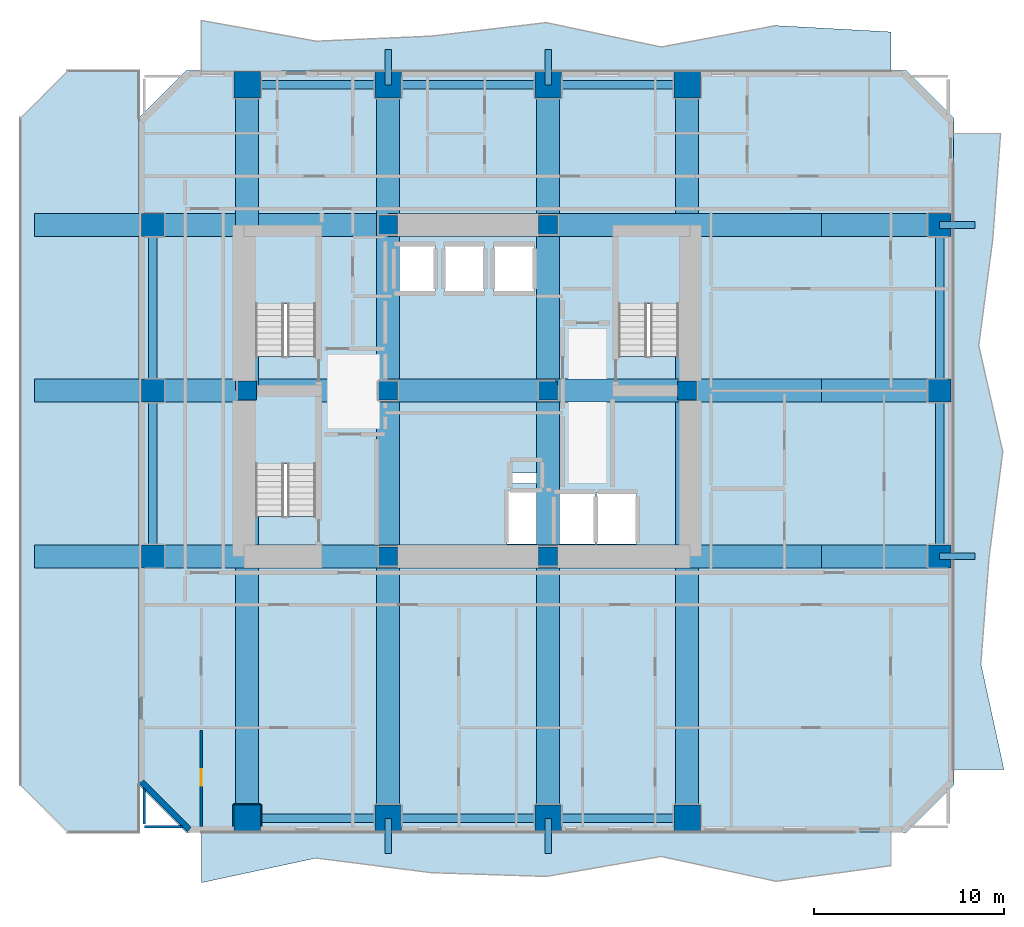
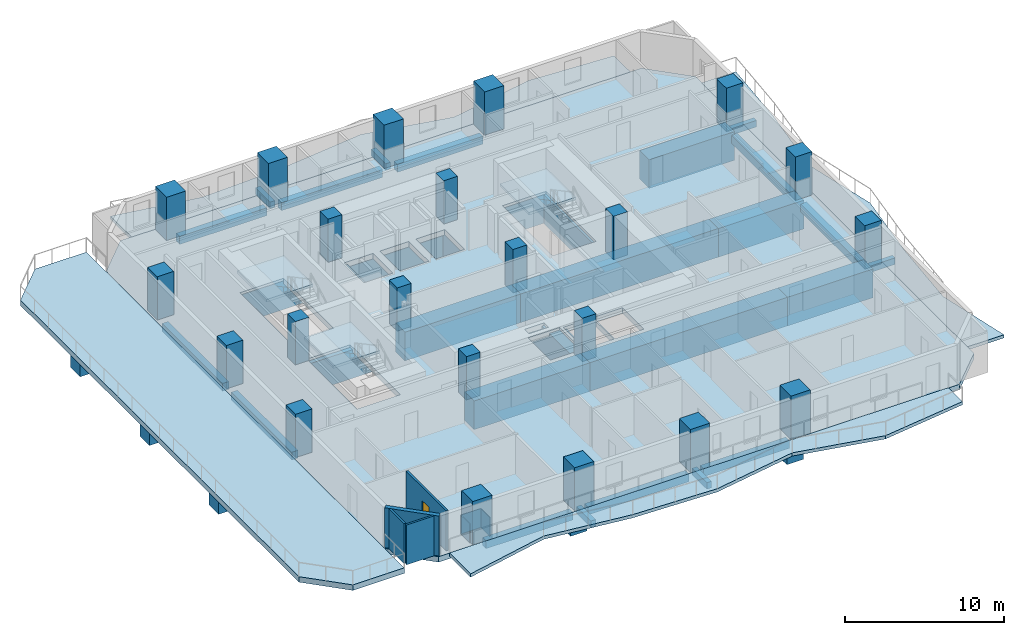
# One storey, part 1 of 10: 36 beams, 22 columns, 8 slabs, 7 walls, 1 door, 1 opening, 3 elements without a shape of their own.
"""IFC4 building model written with IfcOpenShell, lengths in metres."""

from ifc_helpers import new_model, si_unit, direction, frame, frame_2d, origin, origin_2d, place, context, subcontext, project, spatial, polyline, rectangle, outline, extrude, material, layer, layer_set, material_profile, profile_set, type_object, element, fill, aggregate, save


model = new_model("IFC4")

# Units and contexts
model_context = context("Model", 3, precision=1e-05, world=origin(), true_north=direction((0.0, 1.0)))
body_context = subcontext(model_context, "Body", "Model", "MODEL_VIEW")
ifc_project = project(units=[si_unit("LENGTHUNIT", "METRE"), si_unit("AREAUNIT", "SQUARE_METRE"), si_unit("VOLUMEUNIT", "CUBIC_METRE"), si_unit("PLANEANGLEUNIT", "RADIAN"), si_unit("MASSUNIT", "GRAM", prefix="KILO")], contexts=[model_context])

# Site, building, storey
site_placement = place(None, origin())
site = spatial("IfcSite", under=ifc_project, at=site_placement, CompositionType="ELEMENT")
building_placement = place(site_placement, origin())
building = spatial("IfcBuilding", under=site, at=building_placement, Name="Solanera Arch Residences", CompositionType="ELEMENT")
storey_placement = place(building_placement, frame((0.0, 0.0, 41.919921875)))
storey = spatial("IfcBuildingStorey", under=building, at=storey_placement, Name="L11", CompositionType="ELEMENT", Elevation=41.919921875)

# Columns
ifc_material_1 = material(Name="Concrete C55/67 (f'c = 60 MPa)", Category="concrete")
ifc_material_profile_1 = material_profile(ifc_material_1, rectangle(XDim=1.0, YDim=1.0, at=origin_2d()))
ifc_profile_set_1 = profile_set([ifc_material_profile_1], Name="Concrete C55/67 (f'c = 60 MPa)")
column_type_1 = type_object("IfcColumnType", Name="Structural Column RC-COL-1000X1000", PredefinedType="COLUMN", material=ifc_profile_set_1)
for number, where, z_axis, x_axis, name in (
    (1, (20.800048828125, 22.0, 0.0), (0.0, 0.0, 1.0), (1.0, 0.0, 0.0), "COL-L11-CB-SW"),
    (2, (29.199951171875, 22.0, 0.0), (0.0, 0.0, 1.0), (1.0, 0.0, 0.0), "COL-L11-CB-SE"),
    (3, (20.800048828125, 39.39990234375, 0.0), (0.0, 0.0, 1.0), (1.0, 0.0, 0.0), "COL-L11-CB-NW"),
    (4, (29.199951171875, 39.39990234375, 0.0), (0.0, 0.0, 1.0), (1.0, 0.0, 0.0), "COL-L11-CB-NE"),
    (5, (13.39990234375, 30.699951171875, 0.0), (0.0, 0.0, 1.0), (1.0, 0.0, 0.0), "COL-L11-CB-WW"),
    (6, (36.5, 30.699951171875, 0.0), (0.0, 0.0, 1.0), (1.0, 0.0, 0.0), "COL-L11-CB-EE"),
    (7, (20.800048828125, 30.699951171875, 0.0), (0.0, 0.0, 1.0), (1.0, 0.0, 0.0), "COL-L11-CORE-W"),
    (8, (29.199951171875, 30.699951171875, 0.0), (0.0, 0.0, 1.0), (1.0, 0.0, 0.0), "COL-L11-CORE-E"),
):
    element("IfcColumn", number, at=place(storey_placement, frame(where, z_axis=z_axis, x_axis=x_axis)), inside=storey, type_object=column_type_1, Name=name, PredefinedType="COLUMN", context=body_context, shape_type="SweptSolid", body=[
        extrude(rectangle(XDim=1.0, YDim=1.0, at=origin_2d()), origin(), (0.0, 0.0, 1.0), 3.320068359375),
    ])
ifc_material_2 = material(Name="Concrete C55/67 (f'c = 60 MPa)", Category="concrete")
ifc_material_profile_2 = material_profile(ifc_material_2, rectangle(XDim=1.199951171875, YDim=1.199951171875, at=origin_2d()))
ifc_profile_set_2 = profile_set([ifc_material_profile_2], Name="Concrete C55/67 (f'c = 60 MPa)")
column_type_2 = type_object("IfcColumnType", Name="Structural Column RC-COL-1200X1200", PredefinedType="COLUMN", material=ifc_profile_set_2)
for number, where, z_axis, x_axis, name in (
    (9, (8.449951171875, 22.0, -0.199951171875), (0.0, 0.0, 1.0), (1.0, 0.0, 0.0), "COL-L11-TWR-09"),
    (10, (49.75, 22.0, -0.199951171875), (0.0, 0.0, 1.0), (1.0, 0.0, 0.0), "COL-L11-TWR-10"),
    (11, (8.449951171875, 30.699951171875, -0.199951171875), (0.0, 0.0, 1.0), (1.0, 0.0, 0.0), "COL-L11-TWR-11"),
    (12, (49.75, 30.699951171875, -0.199951171875), (0.0, 0.0, 1.0), (1.0, 0.0, 0.0), "COL-L11-TWR-12"),
    (13, (8.449951171875, 39.39990234375, -0.199951171875), (0.0, 0.0, 1.0), (1.0, 0.0, 0.0), "COL-L11-TWR-13"),
    (14, (49.75, 39.39990234375, -0.199951171875), (0.0, 0.0, 1.0), (1.0, 0.0, 0.0), "COL-L11-TWR-14"),
):
    element("IfcColumn", number, at=place(storey_placement, frame(where, z_axis=z_axis, x_axis=x_axis)), inside=storey, type_object=column_type_2, Name=name, PredefinedType="COLUMN", context=body_context, shape_type="SweptSolid", body=[
        extrude(rectangle(XDim=1.199951171875, YDim=1.199951171875, at=origin_2d()), origin(), (0.0, 0.0, 1.0), 3.52001953125),
    ])
ifc_material_3 = material(Name="Concrete C55/67 (f'c = 60 MPa)", Category="concrete")
ifc_material_profile_3 = material_profile(ifc_material_3, rectangle(XDim=1.39990234375, YDim=1.39990234375, at=origin_2d()))
ifc_profile_set_3 = profile_set([ifc_material_profile_3], Name="Concrete C55/67 (f'c = 60 MPa)")
column_type_3 = type_object("IfcColumnType", Name="Structural Column RC-COL-1400X1400", PredefinedType="COLUMN", material=ifc_profile_set_3)
for number, where, z_axis, x_axis, name in (
    (15, (13.39990234375, 8.25, -0.199951171875), (0.0, 0.0, 1.0), (1.0, 0.0, 0.0), "COL-L11-TWR-01"),
    (16, (13.39990234375, 46.75, -0.199951171875), (0.0, 0.0, 1.0), (1.0, 0.0, 0.0), "COL-L11-TWR-02"),
    (17, (20.800048828125, 8.25, -0.199951171875), (0.0, 0.0, 1.0), (1.0, 0.0, 0.0), "COL-L11-TWR-03"),
    (18, (20.800048828125, 46.75, -0.199951171875), (0.0, 0.0, 1.0), (1.0, 0.0, 0.0), "COL-L11-TWR-04"),
    (19, (29.199951171875, 8.25, -0.199951171875), (0.0, 0.0, 1.0), (1.0, 0.0, 0.0), "COL-L11-TWR-05"),
    (20, (29.199951171875, 46.75, -0.199951171875), (0.0, 0.0, 1.0), (1.0, 0.0, 0.0), "COL-L11-TWR-06"),
    (21, (36.5, 8.25, -0.199951171875), (0.0, 0.0, 1.0), (1.0, 0.0, 0.0), "COL-L11-TWR-07"),
    (22, (36.5, 46.75, -0.199951171875), (0.0, 0.0, 1.0), (1.0, 0.0, 0.0), "COL-L11-TWR-08"),
):
    element("IfcColumn", number, at=place(storey_placement, frame(where, z_axis=z_axis, x_axis=x_axis)), inside=storey, type_object=column_type_3, Name=name, PredefinedType="COLUMN", context=body_context, shape_type="SweptSolid", body=[
        extrude(rectangle(XDim=1.39990234375, YDim=1.39990234375, at=origin_2d()), origin(), (0.0, 0.0, 1.0), 3.52001953125),
    ])

# Beams
ifc_material_4 = material(Name="Concrete C40/50 (f'c = 45 MPa)", Category="concrete")
ifc_material_profile_4 = material_profile(ifc_material_4, rectangle(XDim=0.35009765625, YDim=0.5, at=origin_2d()))
ifc_profile_set_4 = profile_set([ifc_material_profile_4], Name="Concrete C40/50 (f'c = 45 MPa)")
beam_type_1 = type_object("IfcBeamType", Name="BM-BALC-RIB", PredefinedType="BEAM", material=ifc_profile_set_4)
for number, where, z_axis, x_axis, name in (
    (23, (20.800048828125, 6.39990234375, -0.5), (0.0, 1.0, 0.0), (-1.0, 0.0, 0.0), "BM-L11-BRIB-S1"),
    (24, (29.199951171875, 6.39990234375, -0.5), (0.0, 1.0, 0.0), (-1.0, 0.0, 0.0), "BM-L11-BRIB-S2"),
    (25, (20.800048828125, 46.75, -0.5), (0.0, 1.0, 0.0), (-1.0, 0.0, 0.0), "BM-L11-BRIB-N1"),
    (26, (29.199951171875, 46.75, -0.5), (0.0, 1.0, 0.0), (-1.0, 0.0, 0.0), "BM-L11-BRIB-N2"),
    (27, (49.75, 22.0, -0.5), (1.0, 0.0, 0.0), (0.0, 1.0, 0.0), "BM-L11-BRIB-E1"),
    (28, (49.75, 39.39990234375, -0.5), (1.0, 0.0, 0.0), (0.0, 1.0, 0.0), "BM-L11-BRIB-E2"),
):
    element("IfcBeam", number, at=place(storey_placement, frame(where, z_axis=z_axis, x_axis=x_axis)), inside=storey, type_object=beam_type_1, Name=name, PredefinedType="BEAM", context=body_context, shape_type="SweptSolid", body=[
        extrude(rectangle(XDim=0.35009765625, YDim=0.5, at=origin_2d()), origin(), (0.0, 0.0, 1.0), 1.85009765625),
    ])
ifc_material_5 = material(Name="Concrete C55/67 (f'c = 60 MPa)", Category="concrete")
ifc_material_profile_5 = material_profile(ifc_material_5, rectangle(XDim=1.199951171875, YDim=2.199951171875, at=origin_2d()))
ifc_profile_set_5 = profile_set([ifc_material_profile_5], Name="Concrete C55/67 (f'c = 60 MPa)")
beam_type_2 = type_object("IfcBeamType", Name="BM-CANT-BLOCK", PredefinedType="BEAM", material=ifc_profile_set_5)
for number, where, z_axis, x_axis, name in (
    (29, (43.550048828125, 22.0, -1.2998046875), (1.0, 0.0, 0.0), (0.0, 1.0, 0.0), "BM-L11-CANT-EW-E-220"),
    (30, (43.550048828125, 30.699951171875, -1.2998046875), (1.0, 0.0, 0.0), (0.0, 1.0, 0.0), "BM-L11-CANT-EW-E-307"),
    (31, (43.550048828125, 39.39990234375, -1.2998046875), (1.0, 0.0, 0.0), (0.0, 1.0, 0.0), "BM-L11-CANT-EW-E-394"),
):
    element("IfcBeam", number, at=place(storey_placement, frame(where, z_axis=z_axis, x_axis=x_axis)), inside=storey, type_object=beam_type_2, Name=name, PredefinedType="BEAM", context=body_context, shape_type="SweptSolid", body=[
        extrude(rectangle(XDim=1.199951171875, YDim=2.199951171875, at=origin_2d()), origin(), (0.0, 0.0, 1.0), 6.199951171875),
    ])
ifc_material_6 = material(Name="Concrete C40/50 (f'c = 45 MPa)", Category="concrete")
ifc_material_profile_6 = material_profile(ifc_material_6, rectangle(XDim=0.449951171875, YDim=0.60009765625, at=origin_2d()))
ifc_profile_set_6 = profile_set([ifc_material_profile_6], Name="Concrete C40/50 (f'c = 45 MPa)")
beam_type_3 = type_object("IfcBeamType", Name="Spandrel Beam RC-BM-450X600", PredefinedType="SPANDREL", material=ifc_profile_set_6)
for number, where, z_axis, x_axis, name in (
    (32, (13.93994140625, 8.25, -0.719970703125), (1.0, 0.0, 0.0), (0.0, 1.0, 0.0), "BM-L11-XRING-S-1"),
    (33, (13.93994140625, 46.75, -0.719970703125), (1.0, 0.0, 0.0), (0.0, 1.0, 0.0), "BM-L11-XRING-N-1"),
):
    element("IfcBeam", number, at=place(storey_placement, frame(where, z_axis=z_axis, x_axis=x_axis)), inside=storey, type_object=beam_type_3, Name=name, PredefinedType="SPANDREL", context=body_context, shape_type="SweptSolid", body=[
        extrude(rectangle(XDim=0.449951171875, YDim=0.60009765625, at=origin_2d()), origin(), (0.0, 0.0, 1.0), 6.320068359375),
    ])
for number, where, z_axis, x_axis, name in (
    (34, (21.340087890625, 8.25, -0.719970703125), (1.0, 0.0, 0.0), (0.0, 1.0, 0.0), "BM-L11-XRING-S-2"),
    (35, (21.340087890625, 46.75, -0.719970703125), (1.0, 0.0, 0.0), (0.0, 1.0, 0.0), "BM-L11-XRING-N-2"),
):
    element("IfcBeam", number, at=place(storey_placement, frame(where, z_axis=z_axis, x_axis=x_axis)), inside=storey, type_object=beam_type_3, Name=name, PredefinedType="SPANDREL", context=body_context, shape_type="SweptSolid", body=[
        extrude(rectangle(XDim=0.449951171875, YDim=0.60009765625, at=origin_2d()), origin(), (0.0, 0.0, 1.0), 7.31982421875),
    ])
for number, where, z_axis, x_axis, name in (
    (36, (29.739990234375, 8.25, -0.719970703125), (1.0, 0.0, 0.0), (0.0, 1.0, 0.0), "BM-L11-XRING-S-3"),
    (37, (29.739990234375, 46.75, -0.719970703125), (1.0, 0.0, 0.0), (0.0, 1.0, 0.0), "BM-L11-XRING-N-3"),
):
    element("IfcBeam", number, at=place(storey_placement, frame(where, z_axis=z_axis, x_axis=x_axis)), inside=storey, type_object=beam_type_3, Name=name, PredefinedType="SPANDREL", context=body_context, shape_type="SweptSolid", body=[
        extrude(rectangle(XDim=0.449951171875, YDim=0.60009765625, at=origin_2d()), origin(), (0.0, 0.0, 1.0), 6.219970703125),
    ])
for number, where, z_axis, x_axis, name in (
    (38, (8.449951171875, 22.5400390625, -0.719970703125), (0.0, 1.0, 0.0), (-1.0, 0.0, 0.0), "BM-L11-XRING-W-1"),
    (39, (49.75, 22.5400390625, -0.719970703125), (0.0, 1.0, 0.0), (-1.0, 0.0, 0.0), "BM-L11-XRING-E-1"),
):
    element("IfcBeam", number, at=place(storey_placement, frame(where, z_axis=z_axis, x_axis=x_axis)), inside=storey, type_object=beam_type_3, Name=name, PredefinedType="SPANDREL", context=body_context, shape_type="SweptSolid", body=[
        extrude(rectangle(XDim=0.449951171875, YDim=0.60009765625, at=origin_2d()), origin(), (0.0, 0.0, 1.0), 7.619873046875),
    ])
for number, where, z_axis, x_axis, name in (
    (40, (8.449951171875, 31.239990234375, -0.719970703125), (0.0, 1.0, 0.0), (-1.0, 0.0, 0.0), "BM-L11-XRING-W-2"),
    (41, (49.75, 31.239990234375, -0.719970703125), (0.0, 1.0, 0.0), (-1.0, 0.0, 0.0), "BM-L11-XRING-E-2"),
):
    element("IfcBeam", number, at=place(storey_placement, frame(where, z_axis=z_axis, x_axis=x_axis)), inside=storey, type_object=beam_type_3, Name=name, PredefinedType="SPANDREL", context=body_context, shape_type="SweptSolid", body=[
        extrude(rectangle(XDim=0.449951171875, YDim=0.60009765625, at=origin_2d()), origin(), (0.0, 0.0, 1.0), 7.6201171875),
    ])
ifc_material_7 = material(Name="Concrete C55/67 (f'c = 60 MPa)", Category="concrete")
ifc_material_profile_7 = material_profile(ifc_material_7, rectangle(XDim=1.199951171875, YDim=2.199951171875, at=origin_2d()))
ifc_profile_set_7 = profile_set([ifc_material_profile_7], Name="Concrete C55/67 (f'c = 60 MPa)")
beam_type_4 = type_object("IfcBeamType", Name="Transfer Girder RC-BM-1200X2200", PredefinedType="BEAM", material=ifc_profile_set_7)
beam_1_placement = place(storey_placement, frame((13.39990234375, 8.25, -1.2998046875), z_axis=(0.0, 1.0, 0.0), x_axis=(-1.0, 0.0, 0.0)))
element("IfcBeam", 42, at=beam_1_placement, inside=storey, type_object=beam_type_4, Name="BM-L11-XFER-NS-S-134", PredefinedType="BEAM", context=body_context, shape_type="SweptSolid", body=[
    extrude(rectangle(XDim=1.199951171875, YDim=2.199951171875, at=origin_2d()), origin(), (0.0, 0.0, 1.0), 22.449951171875),
])
beam_2_placement = place(storey_placement, frame((13.39990234375, 30.699951171875, -1.2998046875), z_axis=(0.0, 1.0, 0.0), x_axis=(-1.0, 0.0, 0.0)))
element("IfcBeam", 43, at=beam_2_placement, inside=storey, type_object=beam_type_4, Name="BM-L11-XFER-NS-N-134", PredefinedType="BEAM", context=body_context, shape_type="SweptSolid", body=[
    extrude(rectangle(XDim=1.199951171875, YDim=2.199951171875, at=origin_2d()), origin(), (0.0, 0.0, 1.0), 16.050048828125),
])
beam_3_placement = place(storey_placement, frame((20.800048828125, 8.25, -1.2998046875), z_axis=(0.0, 1.0, 0.0), x_axis=(-1.0, 0.0, 0.0)))
element("IfcBeam", 44, at=beam_3_placement, inside=storey, type_object=beam_type_4, Name="BM-L11-XFER-NS-S-208", PredefinedType="BEAM", context=body_context, shape_type="SweptSolid", body=[
    extrude(rectangle(XDim=1.199951171875, YDim=2.199951171875, at=origin_2d()), origin(), (0.0, 0.0, 1.0), 22.449951171875),
])
beam_4_placement = place(storey_placement, frame((20.800048828125, 30.699951171875, -1.2998046875), z_axis=(0.0, 1.0, 0.0), x_axis=(-1.0, 0.0, 0.0)))
element("IfcBeam", 45, at=beam_4_placement, inside=storey, type_object=beam_type_4, Name="BM-L11-XFER-NS-N-208", PredefinedType="BEAM", context=body_context, shape_type="SweptSolid", body=[
    extrude(rectangle(XDim=1.199951171875, YDim=2.199951171875, at=origin_2d()), origin(), (0.0, 0.0, 1.0), 16.050048828125),
])
beam_5_placement = place(storey_placement, frame((29.199951171875, 8.25, -1.2998046875), z_axis=(0.0, 1.0, 0.0), x_axis=(-1.0, 0.0, 0.0)))
element("IfcBeam", 46, at=beam_5_placement, inside=storey, type_object=beam_type_4, Name="BM-L11-XFER-NS-S-292", PredefinedType="BEAM", context=body_context, shape_type="SweptSolid", body=[
    extrude(rectangle(XDim=1.199951171875, YDim=2.199951171875, at=origin_2d()), origin(), (0.0, 0.0, 1.0), 22.449951171875),
])
beam_6_placement = place(storey_placement, frame((29.199951171875, 30.699951171875, -1.2998046875), z_axis=(0.0, 1.0, 0.0), x_axis=(-1.0, 0.0, 0.0)))
element("IfcBeam", 47, at=beam_6_placement, inside=storey, type_object=beam_type_4, Name="BM-L11-XFER-NS-N-292", PredefinedType="BEAM", context=body_context, shape_type="SweptSolid", body=[
    extrude(rectangle(XDim=1.199951171875, YDim=2.199951171875, at=origin_2d()), origin(), (0.0, 0.0, 1.0), 16.050048828125),
])
beam_7_placement = place(storey_placement, frame((36.5, 8.25, -1.2998046875), z_axis=(0.0, 1.0, 0.0), x_axis=(-1.0, 0.0, 0.0)))
element("IfcBeam", 48, at=beam_7_placement, inside=storey, type_object=beam_type_4, Name="BM-L11-XFER-NS-S-365", PredefinedType="BEAM", context=body_context, shape_type="SweptSolid", body=[
    extrude(rectangle(XDim=1.199951171875, YDim=2.199951171875, at=origin_2d()), origin(), (0.0, 0.0, 1.0), 22.449951171875),
])
beam_8_placement = place(storey_placement, frame((36.5, 30.699951171875, -1.2998046875), z_axis=(0.0, 1.0, 0.0), x_axis=(-1.0, 0.0, 0.0)))
element("IfcBeam", 49, at=beam_8_placement, inside=storey, type_object=beam_type_4, Name="BM-L11-XFER-NS-N-365", PredefinedType="BEAM", context=body_context, shape_type="SweptSolid", body=[
    extrude(rectangle(XDim=1.199951171875, YDim=2.199951171875, at=origin_2d()), origin(), (0.0, 0.0, 1.0), 16.050048828125),
])
beam_9_placement = place(storey_placement, frame((2.25, 22.0, -1.2998046875), z_axis=(1.0, 0.0, 0.0), x_axis=(0.0, 1.0, 0.0)))
element("IfcBeam", 50, at=beam_9_placement, inside=storey, type_object=beam_type_4, Name="BM-L11-XFER-EW-W-220", PredefinedType="BEAM", context=body_context, shape_type="SweptSolid", body=[
    extrude(rectangle(XDim=1.199951171875, YDim=2.199951171875, at=origin_2d()), origin(), (0.0, 0.0, 1.0), 18.550048828125),
])
beam_10_placement = place(storey_placement, frame((20.800048828125, 22.0, -1.2998046875), z_axis=(1.0, 0.0, 0.0), x_axis=(0.0, 1.0, 0.0)))
element("IfcBeam", 51, at=beam_10_placement, inside=storey, type_object=beam_type_4, Name="BM-L11-XFER-EW-C-220", PredefinedType="BEAM", context=body_context, shape_type="SweptSolid", body=[
    extrude(rectangle(XDim=1.199951171875, YDim=2.199951171875, at=origin_2d()), origin(), (0.0, 0.0, 1.0), 8.39990234375),
])
beam_11_placement = place(storey_placement, frame((29.199951171875, 22.0, -1.2998046875), z_axis=(1.0, 0.0, 0.0), x_axis=(0.0, 1.0, 0.0)))
element("IfcBeam", 52, at=beam_11_placement, inside=storey, type_object=beam_type_4, Name="BM-L11-XFER-EW-E-220", PredefinedType="BEAM", context=body_context, shape_type="SweptSolid", body=[
    extrude(rectangle(XDim=1.199951171875, YDim=2.199951171875, at=origin_2d()), origin(), (0.0, 0.0, 1.0), 14.35009765625),
])
beam_12_placement = place(storey_placement, frame((2.25, 30.699951171875, -1.2998046875), z_axis=(1.0, 0.0, 0.0), x_axis=(0.0, 1.0, 0.0)))
element("IfcBeam", 53, at=beam_12_placement, inside=storey, type_object=beam_type_4, Name="BM-L11-XFER-EW-W-307", PredefinedType="BEAM", context=body_context, shape_type="SweptSolid", body=[
    extrude(rectangle(XDim=1.199951171875, YDim=2.199951171875, at=origin_2d()), origin(), (0.0, 0.0, 1.0), 18.550048828125),
])
beam_13_placement = place(storey_placement, frame((20.800048828125, 30.699951171875, -1.2998046875), z_axis=(1.0, 0.0, 0.0), x_axis=(0.0, 1.0, 0.0)))
element("IfcBeam", 54, at=beam_13_placement, inside=storey, type_object=beam_type_4, Name="BM-L11-XFER-EW-C-307", PredefinedType="BEAM", context=body_context, shape_type="SweptSolid", body=[
    extrude(rectangle(XDim=1.199951171875, YDim=2.199951171875, at=origin_2d()), origin(), (0.0, 0.0, 1.0), 8.39990234375),
])
beam_14_placement = place(storey_placement, frame((29.199951171875, 30.699951171875, -1.2998046875), z_axis=(1.0, 0.0, 0.0), x_axis=(0.0, 1.0, 0.0)))
element("IfcBeam", 55, at=beam_14_placement, inside=storey, type_object=beam_type_4, Name="BM-L11-XFER-EW-E-307", PredefinedType="BEAM", context=body_context, shape_type="SweptSolid", body=[
    extrude(rectangle(XDim=1.199951171875, YDim=2.199951171875, at=origin_2d()), origin(), (0.0, 0.0, 1.0), 14.35009765625),
])
beam_15_placement = place(storey_placement, frame((2.25, 39.39990234375, -1.2998046875), z_axis=(1.0, 0.0, 0.0), x_axis=(0.0, 1.0, 0.0)))
element("IfcBeam", 56, at=beam_15_placement, inside=storey, type_object=beam_type_4, Name="BM-L11-XFER-EW-W-394", PredefinedType="BEAM", context=body_context, shape_type="SweptSolid", body=[
    extrude(rectangle(XDim=1.199951171875, YDim=2.199951171875, at=origin_2d()), origin(), (0.0, 0.0, 1.0), 18.550048828125),
])
beam_16_placement = place(storey_placement, frame((20.800048828125, 39.39990234375, -1.2998046875), z_axis=(1.0, 0.0, 0.0), x_axis=(0.0, 1.0, 0.0)))
element("IfcBeam", 57, at=beam_16_placement, inside=storey, type_object=beam_type_4, Name="BM-L11-XFER-EW-C-394", PredefinedType="BEAM", context=body_context, shape_type="SweptSolid", body=[
    extrude(rectangle(XDim=1.199951171875, YDim=2.199951171875, at=origin_2d()), origin(), (0.0, 0.0, 1.0), 8.39990234375),
])
beam_17_placement = place(storey_placement, frame((29.199951171875, 39.39990234375, -1.2998046875), z_axis=(1.0, 0.0, 0.0), x_axis=(0.0, 1.0, 0.0)))
element("IfcBeam", 58, at=beam_17_placement, inside=storey, type_object=beam_type_4, Name="BM-L11-XFER-EW-E-394", PredefinedType="BEAM", context=body_context, shape_type="SweptSolid", body=[
    extrude(rectangle(XDim=1.199951171875, YDim=2.199951171875, at=origin_2d()), origin(), (0.0, 0.0, 1.0), 14.35009765625),
])

# Slabs
ifc_material_8 = material(Name="Concrete C40/50 (f'c = 45 MPa)", Category="concrete")
ifc_layer_1 = layer(ifc_material_8, 0.25)
ifc_layer_set_1 = layer_set([ifc_layer_1], Name="Concrete C40/50 (f'c = 45 MPa)")
slab_type_1 = type_object("IfcSlabType", Name="Balcony Slab 250", PredefinedType="FLOOR", material=ifc_layer_set_1)
slab_1_placement = place(storey_placement, frame((0.0, 0.0, -0.25)))
element("IfcSlab", 59, at=slab_1_placement, inside=storey, type_object=slab_type_1, Name="L11 S Rippling Brise-Soleil Balcony Slab", PredefinedType="FLOOR", context=body_context, shape_type="SweptSolid", body=[
    extrude(outline(polyline([(11.0, 4.865966796875), (17.032958984375, 6.159912109375), (23.06689453125, 5.39404296875), (29.10009765625, 5.197021484375), (35.133056640625, 6.24609375), (41.1669921875, 4.94091796875), (47.199951171875, 5.761962890625), (47.199951171875, 7.52001953125), (11.0, 7.52001953125), (11.0, 4.865966796875)])), origin(), (0.0, 0.0, 1.0), 0.25),
])
slab_2_placement = place(storey_placement, frame((0.0, 0.0, -0.25)))
element("IfcSlab", 60, at=slab_2_placement, inside=storey, type_object=slab_type_1, Name="L11 N Rippling Brise-Soleil Balcony Slab", PredefinedType="FLOOR", context=body_context, shape_type="SweptSolid", body=[
    extrude(outline(polyline([(47.199951171875, 49.532958984375), (41.1669921875, 49.864990234375), (35.133056640625, 48.739013671875), (29.10009765625, 50.02001953125), (23.06689453125, 49.31103515625), (17.032958984375, 49.0458984375), (11.0, 50.134033203125), (11.0, 47.47998046875), (47.199951171875, 47.47998046875), (47.199951171875, 49.532958984375)])), origin(), (0.0, 0.0, 1.0), 0.25),
])
slab_3_placement = place(storey_placement, frame((0.0, 0.0, -0.25)))
element("IfcSlab", 61, at=slab_3_placement, inside=storey, type_object=slab_type_1, Name="L11 E Rippling Brise-Soleil Balcony Slab", PredefinedType="FLOOR", context=body_context, shape_type="SweptSolid", body=[
    extrude(outline(polyline([(53.134033203125, 10.800048828125), (51.9189453125, 16.366943359375), (52.346923828125, 21.93310546875), (53.068115234375, 27.5), (51.806884765625, 33.06689453125), (52.5419921875, 38.633056640625), (52.955078125, 44.199951171875), (50.47998046875, 44.199951171875), (50.47998046875, 10.800048828125), (53.134033203125, 10.800048828125)])), origin(), (0.0, 0.0, 1.0), 0.25),
])

# Stair, slab
ifc_material_9 = material(Name="Concrete C40/50 (f'c = 45 MPa)", Category="concrete")
stair_type = type_object("IfcStairType", Name="Tower Dogleg Exit Stair 1480", PredefinedType="HALF_TURN_STAIR", material=ifc_material_9)
stair_1_placement = place(storey_placement, origin())
stair_1 = element("IfcStair", 62, at=stair_1_placement, inside=storey, type_object=stair_type, Name="L11 Tower Core Exit Stair 1", PredefinedType="HALF_TURN_STAIR")
ifc_material_10 = material(Name="Concrete C40/50 (f'c = 45 MPa)", Category="concrete")
ifc_layer_2 = layer(ifc_material_10, 0.199951171875)
ifc_layer_set_2 = layer_set([ifc_layer_2], Name="Concrete C40/50 (f'c = 45 MPa)")
slab_type_2 = type_object("IfcSlabType", Name="Stair Half-Landing Slab 200", PredefinedType="LANDING", material=ifc_layer_set_2)
slab_4_placement = place(storey_placement, frame((0.0, 0.0, 1.4599609375)))
slab_4 = element("IfcSlab", 63, at=slab_4_placement, type_object=slab_type_2, Name="ST-T1 landing 1", PredefinedType="LANDING", context=body_context, shape_type="SweptSolid", body=[
    extrude(outline(polyline([(17.1201171875, 35.260009765625), (17.1201171875, 38.919921875), (13.719970703125, 38.919921875), (13.719970703125, 35.260009765625), (17.1201171875, 35.260009765625)])), origin(), (0.0, 0.0, 1.0), 0.2001953125),
])
aggregate(stair_1, [slab_4])

stair_2_placement = place(storey_placement, origin())
stair_2 = element("IfcStair", 64, at=stair_2_placement, inside=storey, type_object=stair_type, Name="L11 Tower Core Exit Stair 2", PredefinedType="HALF_TURN_STAIR")
slab_5_placement = place(storey_placement, frame((0.0, 0.0, 1.4599609375)))
slab_5 = element("IfcSlab", 65, at=slab_5_placement, type_object=slab_type_2, Name="ST-T2 landing 1", PredefinedType="LANDING", context=body_context, shape_type="SweptSolid", body=[
    extrude(outline(polyline([(36.179931640625, 35.260009765625), (36.179931640625, 38.919921875), (32.780029296875, 38.919921875), (32.780029296875, 35.260009765625), (36.179931640625, 35.260009765625)])), origin(), (0.0, 0.0, 1.0), 0.2001953125),
])
aggregate(stair_2, [slab_5])

stair_3_placement = place(storey_placement, origin())
stair_3 = element("IfcStair", 66, at=stair_3_placement, inside=storey, type_object=stair_type, Name="L11 Tower Core Exit Stair 3", PredefinedType="HALF_TURN_STAIR")
slab_6_placement = place(storey_placement, frame((0.0, 0.0, 1.4599609375)))
slab_6 = element("IfcSlab", 67, at=slab_6_placement, type_object=slab_type_2, Name="ST-T3 landing 1", PredefinedType="LANDING", context=body_context, shape_type="SweptSolid", body=[
    extrude(outline(polyline([(17.1201171875, 26.860107421875), (17.1201171875, 30.52001953125), (13.719970703125, 30.52001953125), (13.719970703125, 26.860107421875), (17.1201171875, 26.860107421875)])), origin(), (0.0, 0.0, 1.0), 0.2001953125),
])
aggregate(stair_3, [slab_6])

# Slabs
ifc_material_11 = material(Name="Concrete C40/50 (f'c = 45 MPa)", Category="concrete")
ifc_layer_3 = layer(ifc_material_11, 0.419921875)
ifc_layer_set_3 = layer_set([ifc_layer_3], Name="Concrete C40/50 (f'c = 45 MPa)")
slab_type_3 = type_object("IfcSlabType", Name="Suspended Floor Slab Post-Tensioned 420", PredefinedType="FLOOR", material=ifc_layer_set_3)
slab_7_placement = place(storey_placement, frame((0.0, 0.0, -0.419921875)))
element("IfcSlab", 68, at=slab_7_placement, inside=storey, type_object=slab_type_3, Name="L11 Tower Post-Tensioned Floor Slab", PredefinedType="FLOOR", context=body_context, shape_type="SweptSolid", body=[
    extrude(outline(polyline([(10.199951171875, 7.5), (48.0, 7.5), (50.5, 10.0), (50.5, 45.0), (48.0, 47.5), (10.199951171875, 47.5), (7.699951171875, 45.0), (7.699951171875, 10.0), (10.199951171875, 7.5)]), holes=[polyline([(13.840087890625, 32.48291015625), (13.840087890625, 38.800048828125), (17.0, 38.800048828125), (17.0, 32.48291015625), (13.840087890625, 32.48291015625)]), polyline([(32.89990234375, 32.48291015625), (32.89990234375, 38.800048828125), (36.06005859375, 38.800048828125), (36.06005859375, 32.48291015625), (32.89990234375, 32.48291015625)]), polyline([(13.840087890625, 24.0830078125), (13.840087890625, 30.39990234375), (17.0, 30.39990234375), (17.0, 24.0830078125), (13.840087890625, 24.0830078125)]), polyline([(21.14990234375, 38.35009765625), (23.25, 38.35009765625), (23.25, 35.85009765625), (21.14990234375, 35.85009765625), (21.14990234375, 38.35009765625)]), polyline([(23.75, 38.35009765625), (25.85009765625, 38.35009765625), (25.85009765625, 35.85009765625), (23.75, 35.85009765625), (23.75, 38.35009765625)]), polyline([(26.35009765625, 38.35009765625), (28.449951171875, 38.35009765625), (28.449951171875, 35.85009765625), (26.35009765625, 35.85009765625), (26.35009765625, 38.35009765625)]), polyline([(29.550048828125, 25.35009765625), (31.64990234375, 25.35009765625), (31.64990234375, 22.64990234375), (29.550048828125, 22.64990234375), (29.550048828125, 25.35009765625)]), polyline([(31.75, 25.35009765625), (33.85009765625, 25.35009765625), (33.85009765625, 22.64990234375), (31.75, 22.64990234375), (31.75, 25.35009765625)]), polyline([(27.050048828125, 25.449951171875), (29.35009765625, 25.449951171875), (29.35009765625, 22.64990234375), (27.050048828125, 22.64990234375), (27.050048828125, 25.449951171875)]), polyline([(27.340087890625, 26.3798828125), (28.760009765625, 26.3798828125), (28.760009765625, 25.820068359375), (27.340087890625, 25.820068359375), (27.340087890625, 26.3798828125)])]), origin(), (0.0, 0.0, 1.0), 0.419921875),
])
ifc_material_12 = material(Name="Concrete C40/50 (f'c = 45 MPa)", Category="concrete")
ifc_layer_4 = layer(ifc_material_12, 0.419921875)
ifc_layer_set_4 = layer_set([ifc_layer_4], Name="Concrete C40/50 (f'c = 45 MPa)")
slab_type_4 = type_object("IfcSlabType", Name="Terrace Slab 420", PredefinedType="FLOOR", material=ifc_layer_set_4)
slab_8_placement = place(storey_placement, frame((0.0, 0.0, -0.419921875)))
element("IfcSlab", 69, at=slab_8_placement, inside=storey, type_object=slab_type_4, Name="L11 Planted Sky Terrace Slab 1", PredefinedType="FLOOR", context=body_context, shape_type="SweptSolid", body=[
    extrude(outline(polyline([(3.97998046875, 7.52001953125), (7.719970703125, 7.52001953125), (7.719970703125, 10.008056640625), (7.719970703125, 44.991943359375), (7.719970703125, 47.47998046875), (3.97998046875, 47.47998046875), (1.5, 45.0), (1.5, 10.0), (3.97998046875, 7.52001953125)])), origin(), (0.0, 0.0, 1.0), 0.419921875),
])

# Walls
ifc_material_13 = material(Name="Fire-Rated Gypsum Stud Partition", Category="gypsum")
ifc_layer_5 = layer(ifc_material_13, 0.06005859375)
ifc_layer_set_5 = layer_set([ifc_layer_5], Name="Fire-Rated Gypsum Stud Partition")
wall_type_1 = type_object("IfcWallType", Name="Column Acoustic Furring Wall 60", PredefinedType="PARTITIONING", material=ifc_layer_set_5)
wall_1_placement = place(storey_placement, frame((12.699951171875, 8.98193359375, 0.0), z_axis=(0.0, 0.0, 1.0), x_axis=(1.0, 0.0, 0.0)))
element("IfcWall", 70, at=wall_1_placement, inside=storey, type_object=wall_type_1, Name="L11 Column Furring 9N", PredefinedType="PARTITIONING", context=body_context, shape_type="SweptSolid", body=[
    extrude(rectangle(XDim=1.400146484375, YDim=0.06005859375, at=frame_2d((0.7001953125, 0.0))), origin(), (0.0, 0.0, 1.0), 1.4501953125),
])
for number, where, z_axis, x_axis, name in (
    (71, (12.66796875, 7.830078125, 0.0), (0.0, 0.0, 1.0), (0.0, 1.0, 0.0), "L11 Column Furring 9W"),
    (72, (14.132080078125, 7.830078125, 0.0), (0.0, 0.0, 1.0), (0.0, 1.0, 0.0), "L11 Column Furring 9E"),
):
    element("IfcWall", number, at=place(storey_placement, frame(where, z_axis=z_axis, x_axis=x_axis)), inside=storey, type_object=wall_type_1, Name=name, PredefinedType="PARTITIONING", context=body_context, shape_type="SweptSolid", body=[
        extrude(rectangle(XDim=1.119873046875, YDim=0.06005859375, at=frame_2d((0.56005859375, 0.0))), origin(), (0.0, 0.0, 1.0), 1.4501953125),
    ])
ifc_material_14 = material(Name="Precast Concrete C35/45", Category="concrete")
ifc_layer_6 = layer(ifc_material_14, 0.300048828125)
ifc_layer_set_6 = layer_set([ifc_layer_6], Name="Precast Concrete C35/45")
wall_type_2 = type_object("IfcWallType", Name="Exterior Wall Precast Masonry-Frame 300", PredefinedType="STANDARD", material=ifc_layer_set_6)
wall_2_placement = place(storey_placement, frame((10.364990234375, 7.6650390625, 0.0), z_axis=(0.0, 0.0, 1.0), x_axis=(-0.707106781187, 0.707106781187, 0.0)))
element("IfcWall", 73, at=wall_2_placement, inside=storey, type_object=wall_type_2, Name="L11 Tower Exterior Precast Masonry-Frame Wall CH7", PredefinedType="STANDARD", context=body_context, shape_type="SweptSolid", body=[
    extrude(rectangle(XDim=3.53564453125, YDim=0.300048828125, at=frame_2d((1.767822265625, 0.0))), origin(), (0.0, 0.0, 1.0), 3.06005859375),
])
ifc_material_15 = material(Name="Autoclaved Aerated Concrete Blockwork", Category="masonry")
ifc_layer_7 = layer(ifc_material_15, 0.139892578125)
ifc_layer_set_7 = layer_set([ifc_layer_7], Name="Autoclaved Aerated Concrete Blockwork")
wall_type_3 = type_object("IfcWallType", Name="Wet-Room Partition 140", PredefinedType="PARTITIONING", material=ifc_layer_set_7)
wall_3_placement = place(storey_placement, frame((8.0, 7.800048828125, 0.0), z_axis=(0.0, 0.0, 1.0), x_axis=(1.0, 0.0, 0.0)))
element("IfcWall", 74, at=wall_3_placement, inside=storey, type_object=wall_type_3, Name="L11 Interior Partition H14 1", PredefinedType="PARTITIONING", context=body_context, shape_type="SweptSolid", body=[
    extrude(rectangle(XDim=2.0009765625, YDim=0.139892578125, at=frame_2d((1.00048828125, 0.0))), origin(), (0.0, 0.0, 1.0), 3.06005859375),
])
wall_4_placement = place(storey_placement, frame((8.0, 7.947998046875, 0.0), z_axis=(0.0, 0.0, 1.0), x_axis=(0.0, 1.0, 0.0)))
element("IfcWall", 75, at=wall_4_placement, inside=storey, type_object=wall_type_3, Name="L11 Interior Partition V12", PredefinedType="PARTITIONING", context=body_context, shape_type="SweptSolid", body=[
    extrude(rectangle(XDim=1.85302734375, YDim=0.139892578125, at=frame_2d((0.926513671875, 0.0))), origin(), (0.0, 0.0, 1.0), 3.06005859375),
])

# Wall, opening, door
wall_5_placement = place(storey_placement, frame((11.0, 7.826904296875, 0.0), z_axis=(0.0, 0.0, 1.0), x_axis=(0.0, 1.0, 0.0)))
wall_5 = element("IfcWall", 76, at=wall_5_placement, inside=storey, type_object=wall_type_3, Name="L11 Interior Partition V14 1", PredefinedType="PARTITIONING", context=body_context, shape_type="SweptSolid", body=[
    extrude(rectangle(XDim=5.025146484375, YDim=0.139892578125, at=frame_2d((2.5126953125, 0.0))), origin(), (0.0, 0.0, 1.0), 3.06005859375),
])
opening_placement = place(wall_5_placement, frame((2.14306640625, 0.0, 0.0)))
opening = element("IfcOpeningElement", 77, at=opening_placement, cuts=wall_5, Name="Opening DI-05", PredefinedType="OPENING", context=body_context, shape_type="SweptSolid", body=[
    extrude(rectangle(XDim=0.860107421875, YDim=2.02001953125, at=frame_2d((0.43017578125, 1.010009765625))), frame((0.0, 0.079833984375, 0.0), z_axis=(0.0, -1.0, 0.0), x_axis=(1.0, 0.0, 0.0)), (0.0, 0.0, 1.0), 0.1599),
])
ifc_material_16 = material(Name="Fire-Rated Architectural Hardwood", Category="wood")
door_type = type_object("IfcDoorType", Name="Bathroom Swing Door DI-05", OperationType="NOTDEFINED", PredefinedType="DOOR", material=ifc_material_16)
door_placement = place(opening_placement, origin())
door = element("IfcDoor", 78, at=door_placement, inside=storey, type_object=door_type, Name="DR-L11-IN-016", OperationType="SINGLE_SWING_RIGHT", OverallHeight=2.02001953125, OverallWidth=0.860107421875, PredefinedType="DOOR", context=body_context, shape_type="SweptSolid", body=[
    extrude(rectangle(XDim=0.860107421875, YDim=2.02001953125, at=frame_2d((0.43017578125, 1.010009765625))), frame((0.0, 0.02490234375, 0.0), z_axis=(0.0, -1.0, 0.0), x_axis=(1.0, 0.0, 0.0)), (0.0, 0.0, 1.0), 0.050048828125),
])
fill(opening, door)

save(model, "model.ifc")
